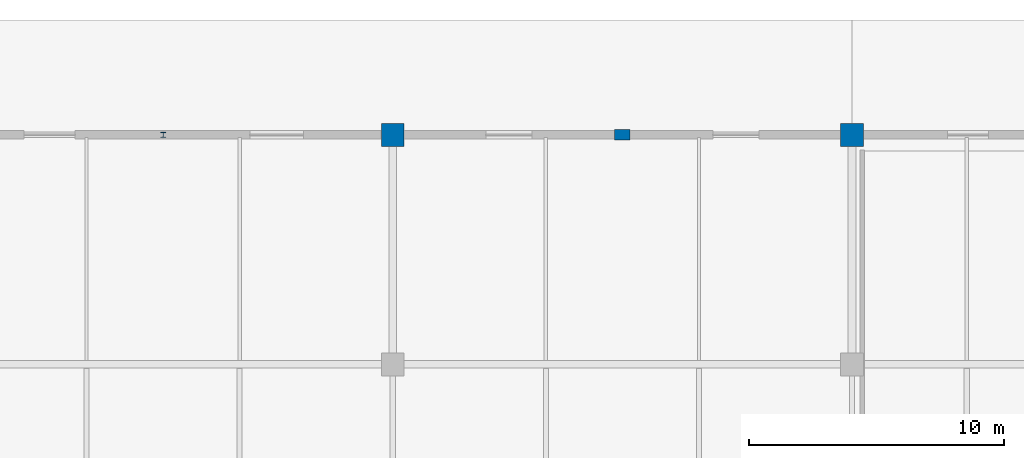
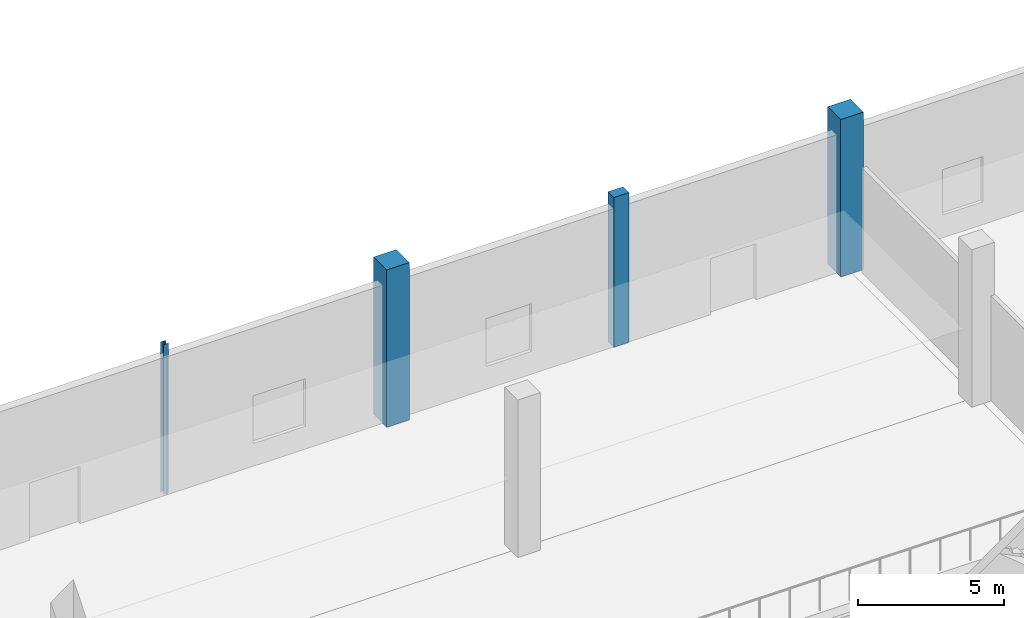
# One storey, part 7 of 65: 4 columns.
"""IFC4 building model written with IfcOpenShell, lengths in metres."""

from ifc_helpers import new_model, si_unit, direction, frame, origin, origin_2d, place, context, subcontext, project, spatial, rectangle, i_section, extrude, material, material_profile, profile_set, type_object, element, save


model = new_model("IFC4")

# Units and contexts
model_context = context("Model", 3, precision=1e-05, world=origin(), true_north=direction((0.0, 1.0)))
body_context = subcontext(model_context, "Body", "Model", "MODEL_VIEW")
ifc_project = project(units=[si_unit("LENGTHUNIT", "METRE"), si_unit("AREAUNIT", "SQUARE_METRE"), si_unit("VOLUMEUNIT", "CUBIC_METRE"), si_unit("PLANEANGLEUNIT", "RADIAN"), si_unit("MASSUNIT", "GRAM", prefix="KILO")], contexts=[model_context])

# Site, building, storey
site_placement = place(None, origin())
site = spatial("IfcSite", under=ifc_project, at=site_placement, CompositionType="ELEMENT")
building_placement = place(site_placement, origin())
building = spatial("IfcBuilding", under=site, at=building_placement, Name="Chuanluo Vaults Station", CompositionType="ELEMENT")
storey_placement = place(building_placement, origin())
storey = spatial("IfcBuildingStorey", under=building, at=storey_placement, Name="L00", CompositionType="ELEMENT", Elevation=0.0)

# Columns
ifc_material_1 = material(Name="Concrete C40", Category="concrete")
ifc_material_profile_1 = material_profile(ifc_material_1, rectangle(XDim=0.60009765625, YDim=0.39990234375, at=origin_2d()))
ifc_profile_set_1 = profile_set([ifc_material_profile_1], Name="Concrete C40")
column_type_1 = type_object("IfcColumnType", Name="COL-PIL-600x400", PredefinedType="PILASTER", material=ifc_profile_set_1)
column_1_placement = place(storey_placement, frame((99.0, 126.0, 0.0), z_axis=(0.0, 0.0, 1.0), x_axis=(1.0, 0.0, 0.0)))
element("IfcColumn", 1, at=column_1_placement, inside=storey, type_object=column_type_1, Name="Streetwall engaged pilaster 06", PredefinedType="PILASTER", context=body_context, shape_type="SweptSolid", body=[
    extrude(rectangle(XDim=0.60009765625, YDim=0.39990234375, at=origin_2d()), origin(), (0.0, 0.0, 1.0), 6.280029296875),
])
ifc_material_2 = material(Name="Concrete C50", Category="concrete")
ifc_material_profile_2 = material_profile(ifc_material_2, rectangle(XDim=0.89990234375, YDim=0.89990234375, at=origin_2d()))
ifc_profile_set_2 = profile_set([ifc_material_profile_2], Name="Concrete C50")
column_type_2 = type_object("IfcColumnType", Name="COL-RC-900x900", PredefinedType="COLUMN", material=ifc_profile_set_2)
for number, where, z_axis, x_axis, name in (
    (2, (90.0, 126.0, 0.0), (0.0, 0.0, 1.0), (1.0, 0.0, 0.0), "Column L00-061"),
    (3, (108.0, 126.0, 0.0), (0.0, 0.0, 1.0), (1.0, 0.0, 0.0), "Column L00-069"),
):
    element("IfcColumn", number, at=place(storey_placement, frame(where, z_axis=z_axis, x_axis=x_axis)), inside=storey, type_object=column_type_2, Name=name, PredefinedType="COLUMN", context=body_context, shape_type="SweptSolid", body=[
        extrude(rectangle(XDim=0.89990234375, YDim=0.89990234375, at=origin_2d()), origin(), (0.0, 0.0, 1.0), 6.60009765625),
    ])
ifc_material_3 = material(Name="Steel Q355C", Category="steel")
ifc_material_profile_3 = material_profile(ifc_material_3, i_section(OverallWidth=0.199951171875, OverallDepth=0.199951171875, WebThickness=0.008056640625, FlangeThickness=0.011962890625, FilletRadius=0.012939453125, at=origin_2d()))
ifc_profile_set_3 = profile_set([ifc_material_profile_3], Name="Steel Q355C")
column_type_3 = type_object("IfcColumnType", Name="COL-STL-HW200", PredefinedType="PILASTER", material=ifc_profile_set_3)
column_2_placement = place(storey_placement, frame((81.0, 126.0, 0.0), z_axis=(0.0, 0.0, 1.0), x_axis=(1.0, 0.0, 0.0)))
element("IfcColumn", 4, at=column_2_placement, inside=storey, type_object=column_type_3, Name="Streetwall engaged pilaster 05", PredefinedType="PILASTER", context=body_context, shape_type="SweptSolid", body=[
    extrude(i_section(OverallWidth=0.199951171875, OverallDepth=0.199951171875, WebThickness=0.008056640625, FlangeThickness=0.011962890625, FilletRadius=0.012939453125, at=origin_2d()), origin(), (0.0, 0.0, 1.0), 6.280029296875),
])

save(model, "model.ifc")
